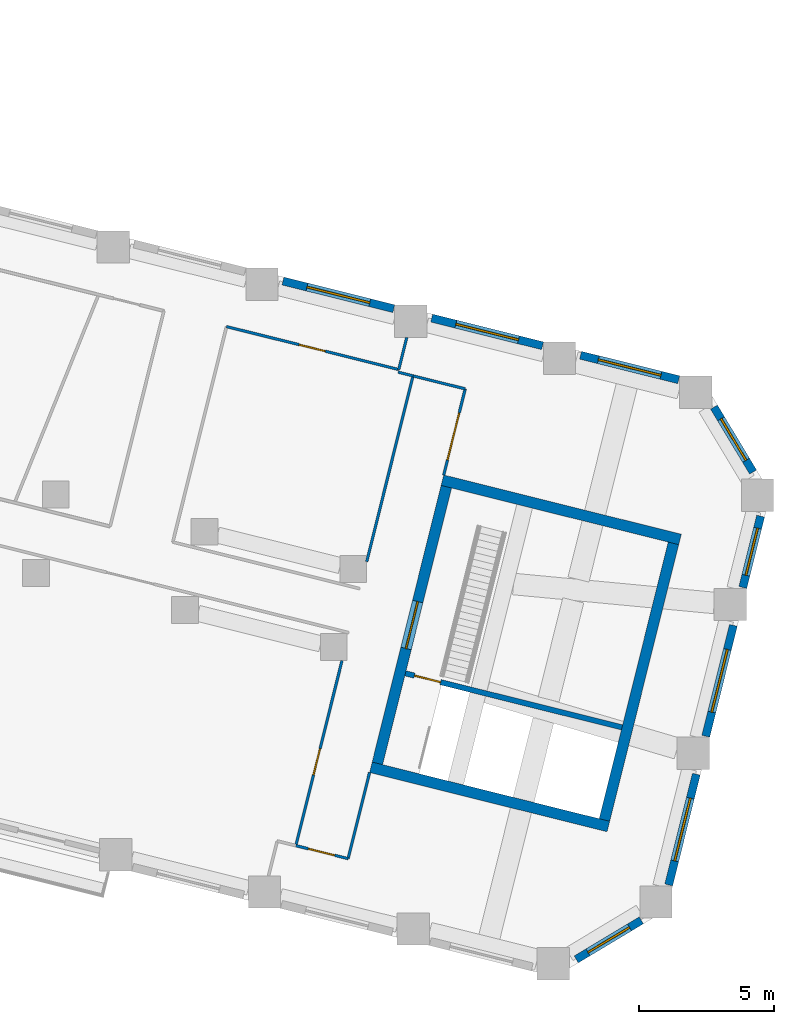
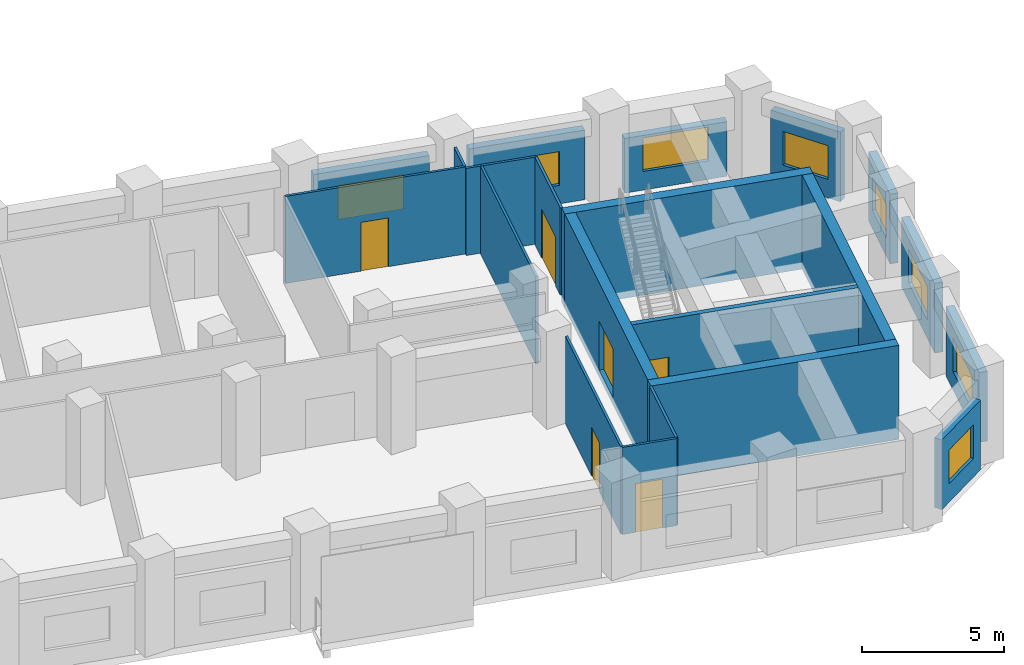
# One storey, part 7 of 10: 22 walls, 8 windows, 6 doors, 14 openings.
"""IFC4 building model written with IfcOpenShell, lengths in metres."""

from ifc_helpers import new_model, si_unit, direction, frame, frame_2d, origin, place, context, subcontext, project, spatial, rectangle, extrude, material, layer, layer_set, type_object, element, fill, save


model = new_model("IFC4")

# Units and contexts
model_context = context("Model", 3, precision=1e-05, world=origin(), true_north=direction((0.0, 1.0)))
body_context = subcontext(model_context, "Body", "Model", "MODEL_VIEW")
ifc_project = project(units=[si_unit("LENGTHUNIT", "METRE"), si_unit("AREAUNIT", "SQUARE_METRE"), si_unit("VOLUMEUNIT", "CUBIC_METRE"), si_unit("PLANEANGLEUNIT", "RADIAN"), si_unit("MASSUNIT", "GRAM", prefix="KILO")], contexts=[model_context])

# Site, building, storey
site_placement = place(None, origin())
site = spatial("IfcSite", under=ifc_project, at=site_placement, CompositionType="ELEMENT")
building_placement = place(site_placement, origin())
building = spatial("IfcBuilding", under=site, at=building_placement, Name="Meshkara Civic Tower", CompositionType="ELEMENT")
storey_placement = place(building_placement, frame((0.0, 0.0, 216.0)))
storey = spatial("IfcBuildingStorey", under=building, at=storey_placement, Name="L49", CompositionType="ELEMENT", Elevation=216.0)

# Wall, opening, door
ifc_material_1 = material(Name="Corridor wall 100")
ifc_layer_1 = layer(ifc_material_1, 0.10009765625)
ifc_layer_set_1 = layer_set([ifc_layer_1], Name="Corridor wall 100")
wall_type_1 = type_object("IfcWallType", Name="Corridor wall 100", PredefinedType="PARTITIONING", material=ifc_layer_set_1)
wall_1_placement = place(storey_placement, frame((59.68408203125, 6.24609375, 0.0), z_axis=(0.0, 0.0, 1.0), x_axis=(0.970303335351, -0.24189137522, 0.0)))
wall_1 = element("IfcWall", 1, at=wall_1_placement, inside=storey, type_object=wall_type_1, Name="L49-W035", PredefinedType="PARTITIONING", context=body_context, shape_type="SweptSolid", body=[
    extrude(rectangle(XDim=6.598876953125, YDim=0.10009765625, at=frame_2d((3.29931640625, 0.0))), origin(), (0.0, 0.0, 1.0), 3.75),
])
opening_1_placement = place(wall_1_placement, frame((2.780029296875, 0.0, 0.0)))
opening_1 = element("IfcOpeningElement", 2, at=opening_1_placement, cuts=wall_1, Name="Opening L49-D007", PredefinedType="OPENING", context=body_context, shape_type="SweptSolid", body=[
    extrude(rectangle(XDim=1.0, YDim=2.10009765625, at=frame_2d((0.5, 1.050048828125))), frame((0.0, 0.06005859375, 0.0), z_axis=(0.0, -1.0, 0.0), x_axis=(1.0, 0.0, 0.0)), (0.0, 0.0, 1.0), 0.1201171875),
])
ifc_material_2 = material(Name="Door 1000 x 2100")
door_type_1 = type_object("IfcDoorType", Name="Door 1000 x 2100", OperationType="SINGLE_SWING_LEFT", PredefinedType="DOOR", material=ifc_material_2)
door_1_placement = place(opening_1_placement, origin())
door_1 = element("IfcDoor", 3, at=door_1_placement, inside=storey, type_object=door_type_1, Name="L49-D007", OperationType="SINGLE_SWING_RIGHT", OverallHeight=2.10009765625, OverallWidth=1.0, PredefinedType="DOOR", context=body_context, shape_type="SweptSolid", body=[
    extrude(rectangle(XDim=1.0, YDim=2.10009765625, at=frame_2d((0.5, 1.050048828125))), frame((0.0, 0.02490234375, 0.0), z_axis=(0.0, -1.0, 0.0), x_axis=(1.0, 0.0, 0.0)), (0.0, 0.0, 1.0), 0.050048828125),
])
fill(opening_1, door_1)

wall_2_placement = place(storey_placement, frame((62.261962890625, -13.050048828125, 0.0), z_axis=(0.0, 0.0, 1.0), x_axis=(0.970300241929, -0.241903783585, 0.0)))
wall_2 = element("IfcWall", 4, at=wall_2_placement, inside=storey, type_object=wall_type_1, Name="L49-W036", PredefinedType="PARTITIONING", context=body_context, shape_type="SweptSolid", body=[
    extrude(rectangle(XDim=2.000244140625, YDim=0.10009765625, at=frame_2d((1.0, 0.0))), origin(), (0.0, 0.0, 1.0), 3.75),
])
opening_2_placement = place(wall_2_placement, frame((0.47998046875, 0.0, 0.0)))
opening_2 = element("IfcOpeningElement", 5, at=opening_2_placement, cuts=wall_2, Name="Opening L49-D001", PredefinedType="OPENING", context=body_context, shape_type="SweptSolid", body=[
    extrude(rectangle(XDim=1.0, YDim=2.10009765625, at=frame_2d((0.5, 1.050048828125))), frame((0.0, 0.06005859375, 0.0), z_axis=(0.0, -1.0, 0.0), x_axis=(1.0, 0.0, 0.0)), (0.0, 0.0, 1.0), 0.1201171875),
])
door_2_placement = place(opening_2_placement, origin())
door_2 = element("IfcDoor", 6, at=door_2_placement, inside=storey, type_object=door_type_1, Name="L49-D001", OperationType="SINGLE_SWING_RIGHT", OverallHeight=2.10009765625, OverallWidth=1.0, PredefinedType="DOOR", context=body_context, shape_type="SweptSolid", body=[
    extrude(rectangle(XDim=1.0, YDim=2.10009765625, at=frame_2d((0.5, 1.050048828125))), frame((0.0, 0.02490234375, 0.0), z_axis=(0.0, -1.0, 0.0), x_axis=(1.0, 0.0, 0.0)), (0.0, 0.0, 1.0), 0.050048828125),
])
fill(opening_2, door_2)

wall_3_placement = place(storey_placement, frame((63.97705078125, -6.1708984375, 0.0), z_axis=(0.0, 0.0, 1.0), x_axis=(-0.241911678739, -0.970298273568, 0.0)))
wall_3 = element("IfcWall", 7, at=wall_3_placement, inside=storey, type_object=wall_type_1, Name="L49-W037", PredefinedType="PARTITIONING", context=body_context, shape_type="SweptSolid", body=[
    extrude(rectangle(XDim=7.08984375, YDim=0.10009765625, at=frame_2d((3.544921875, 0.0))), origin(), (0.0, 0.0, 1.0), 3.75),
])
opening_3_placement = place(wall_3_placement, frame((3.3798828125, 0.0, 0.0)))
opening_3 = element("IfcOpeningElement", 8, at=opening_3_placement, cuts=wall_3, Name="Opening L49-D002", PredefinedType="OPENING", context=body_context, shape_type="SweptSolid", body=[
    extrude(rectangle(XDim=1.0, YDim=2.10009765625, at=frame_2d((0.5, 1.050048828125))), frame((0.0, 0.06005859375, 0.0), z_axis=(0.0, -1.0, 0.0), x_axis=(1.0, 0.0, 0.0)), (0.0, 0.0, 1.0), 0.1201171875),
])
door_3_placement = place(opening_3_placement, origin())
door_3 = element("IfcDoor", 9, at=door_3_placement, inside=storey, type_object=door_type_1, Name="L49-D002", OperationType="SINGLE_SWING_LEFT", OverallHeight=2.10009765625, OverallWidth=1.0, PredefinedType="DOOR", context=body_context, shape_type="SweptSolid", body=[
    extrude(rectangle(XDim=1.0, YDim=2.10009765625, at=frame_2d((0.5, 1.050048828125))), frame((0.0, 0.02490234375, 0.0), z_axis=(0.0, -1.0, 0.0), x_axis=(1.0, 0.0, 0.0)), (0.0, 0.0, 1.0), 0.050048828125),
])
fill(opening_3, door_3)

# Walls
wall_4_placement = place(storey_placement, frame((64.202880859375, -13.533935546875, 0.0), z_axis=(0.0, 0.0, 1.0), x_axis=(0.241856645367, 0.970311992656, 0.0)))
element("IfcWall", 10, at=wall_4_placement, inside=storey, type_object=wall_type_1, Name="L49-W038", PredefinedType="PARTITIONING", context=body_context, shape_type="SweptSolid", body=[
    extrude(rectangle(XDim=3.2998046875, YDim=0.10009765625, at=frame_2d((1.64990234375, 0.0))), origin(), (0.0, 0.0, 1.0), 3.75),
])
wall_5_placement = place(storey_placement, frame((66.0869140625, 4.64990234375, 0.0), z_axis=(0.0, 0.0, 1.0), x_axis=(0.24202255973, 0.970270622343, 0.0)))
element("IfcWall", 11, at=wall_5_placement, inside=storey, type_object=wall_type_1, Name="L49-W040", PredefinedType="PARTITIONING", context=body_context, shape_type="SweptSolid", body=[
    extrude(rectangle(XDim=1.231689453125, YDim=0.10009765625, at=frame_2d((0.61572265625, 0.0))), origin(), (0.0, 0.0, 1.0), 3.75),
])
wall_6_placement = place(storey_placement, frame((66.616943359375, 4.4150390625, 0.0), z_axis=(0.0, 0.0, 1.0), x_axis=(-0.241898048516, -0.97030167171, 0.0)))
element("IfcWall", 12, at=wall_6_placement, inside=storey, type_object=wall_type_1, Name="L49-W041", PredefinedType="PARTITIONING", context=body_context, shape_type="SweptSolid", body=[
    extrude(rectangle(XDim=7.118408203125, YDim=0.10009765625, at=frame_2d((3.55908203125, 0.0))), origin(), (0.0, 0.0, 1.0), 3.75),
])

# Wall, opening, door
wall_7_placement = place(storey_placement, frame((67.759033203125, 0.72900390625, 0.0), z_axis=(0.0, 0.0, 1.0), x_axis=(0.241786986316, 0.970329352977, 0.0)))
wall_7 = element("IfcWall", 13, at=wall_7_placement, inside=storey, type_object=wall_type_1, Name="L49-W042", PredefinedType="PARTITIONING", context=body_context, shape_type="SweptSolid", body=[
    extrude(rectangle(XDim=3.2998046875, YDim=0.10009765625, at=frame_2d((1.64990234375, 0.0))), origin(), (0.0, 0.0, 1.0), 3.75),
])
opening_4_placement = place(wall_7_placement, frame((0.580078125, 0.0, 0.0)))
opening_4 = element("IfcOpeningElement", 14, at=opening_4_placement, cuts=wall_7, Name="Opening L49-D008", PredefinedType="OPENING", context=body_context, shape_type="SweptSolid", body=[
    extrude(rectangle(XDim=1.800048828125, YDim=2.10009765625, at=frame_2d((0.89990234375, 1.050048828125))), frame((0.0, 0.06005859375, 0.0), z_axis=(0.0, -1.0, 0.0), x_axis=(1.0, 0.0, 0.0)), (0.0, 0.0, 1.0), 0.1201171875),
])
ifc_material_3 = material(Name="Door pair 1800 x 2100")
door_type_2 = type_object("IfcDoorType", Name="Door pair 1800 x 2100", OperationType="SINGLE_SWING_LEFT", PredefinedType="DOOR", material=ifc_material_3)
door_4_placement = place(opening_4_placement, origin())
door_4 = element("IfcDoor", 15, at=door_4_placement, inside=storey, type_object=door_type_2, Name="L49-D008", OperationType="DOUBLE_DOOR_SINGLE_SWING", OverallHeight=2.10009765625, OverallWidth=1.800048828125, PredefinedType="DOOR", context=body_context, shape_type="SweptSolid", body=[
    extrude(rectangle(XDim=1.800048828125, YDim=2.10009765625, at=frame_2d((0.89990234375, 1.050048828125))), frame((0.0, 0.02490234375, 0.0), z_axis=(0.0, -1.0, 0.0), x_axis=(1.0, 0.0, 0.0)), (0.0, 0.0, 1.0), 0.050048828125),
])
fill(opening_4, door_4)

# Wall
wall_8_placement = place(storey_placement, frame((68.556884765625, 3.930908203125, 0.0), z_axis=(0.0, 0.0, 1.0), x_axis=(-0.970242973473, 0.242133377347, 0.0)))
element("IfcWall", 16, at=wall_8_placement, inside=storey, type_object=wall_type_1, Name="L49-W043", PredefinedType="PARTITIONING", context=body_context, shape_type="SweptSolid", body=[
    extrude(rectangle(XDim=1.99951171875, YDim=0.10009765625, at=frame_2d((0.999755859375, 0.0))), origin(), (0.0, 0.0, 1.0), 3.75),
])

# Wall, opening, window
ifc_material_4 = material(Name="Insulated infill panel with bronze anodised aluminium cladding", Category="aluminium")
ifc_layer_2 = layer(ifc_material_4, 0.300048828125)
ifc_layer_set_2 = layer_set([ifc_layer_2], Name="EXTERNAL INFILL WALL 300")
wall_type_2 = type_object("IfcWallType", Name="EXTERNAL INFILL WALL 300", PredefinedType="SOLIDWALL", material=ifc_layer_set_2)
wall_9_placement = place(storey_placement, frame((76.491943359375, 4.27197265625, 0.0), z_axis=(0.0, 0.0, 1.0), x_axis=(-0.970348377394, 0.241710625521, 0.0)))
wall_9 = element("IfcWall", 17, at=wall_9_placement, inside=storey, type_object=wall_type_2, Name="External wall", PredefinedType="SOLIDWALL", context=body_context, shape_type="SweptSolid", body=[
    extrude(rectangle(XDim=3.760498046875, YDim=0.300048828125, at=frame_2d((1.88037109375, 0.0))), origin(), (0.0, 0.0, 1.0), 2.35009765625),
])
opening_5_placement = place(wall_9_placement, frame((0.679931640625, 0.0, 0.800048828125)))
opening_5 = element("IfcOpeningElement", 18, at=opening_5_placement, cuts=wall_9, Name="Opening W8", PredefinedType="OPENING", context=body_context, shape_type="SweptSolid", body=[
    extrude(rectangle(XDim=2.39990234375, YDim=1.449951171875, at=frame_2d((1.199951171875, 0.72509765625))), frame((0.0, 0.159912109375, 0.0), z_axis=(0.0, -1.0, 0.0), x_axis=(1.0, 0.0, 0.0)), (0.0, 0.0, 1.0), 0.320068359375),
])
ifc_material_5 = material(Name="Tinted double glazing", Category="glass")
window_type_1 = type_object("IfcWindowType", Name="WINDOW 2400x1450", PartitioningType="DOUBLE_PANEL_VERTICAL", PredefinedType="WINDOW", material=ifc_material_5)
window_1_placement = place(opening_5_placement, origin())
window_1 = element("IfcWindow", 19, at=window_1_placement, inside=storey, type_object=window_type_1, Name="Window", OverallHeight=1.449951171875, OverallWidth=2.39990234375, PartitioningType="DOUBLE_PANEL_VERTICAL", PredefinedType="WINDOW", context=body_context, shape_type="SweptSolid", body=[
    extrude(rectangle(XDim=2.39990234375, YDim=1.449951171875, at=frame_2d((1.199951171875, 0.72509765625))), frame((0.0, 0.030029296875, 0.0), z_axis=(0.0, -1.0, 0.0), x_axis=(1.0, 0.0, 0.0)), (0.0, 0.0, 1.0), 0.06005859375),
])
fill(opening_5, window_1)

wall_10_placement = place(storey_placement, frame((71.431884765625, 5.532958984375, 0.0), z_axis=(0.0, 0.0, 1.0), x_axis=(-0.970301260502, 0.241899697951, 0.0)))
wall_10 = element("IfcWall", 20, at=wall_10_placement, inside=storey, type_object=wall_type_2, Name="External wall", PredefinedType="SOLIDWALL", context=body_context, shape_type="SweptSolid", body=[
    extrude(rectangle(XDim=4.24609375, YDim=0.300048828125, at=frame_2d((2.123046875, 0.0))), origin(), (0.0, 0.0, 1.0), 3.0),
])
opening_6_placement = place(wall_10_placement, frame((0.923095703125, 0.0, 0.800048828125)))
opening_6 = element("IfcOpeningElement", 21, at=opening_6_placement, cuts=wall_10, Name="Opening W8", PredefinedType="OPENING", context=body_context, shape_type="SweptSolid", body=[
    extrude(rectangle(XDim=2.39990234375, YDim=1.449951171875, at=frame_2d((1.199951171875, 0.72509765625))), frame((0.0, 0.159912109375, 0.0), z_axis=(0.0, -1.0, 0.0), x_axis=(1.0, 0.0, 0.0)), (0.0, 0.0, 1.0), 0.320068359375),
])
window_2_placement = place(opening_6_placement, origin())
window_2 = element("IfcWindow", 22, at=window_2_placement, inside=storey, type_object=window_type_1, Name="Window", OverallHeight=1.449951171875, OverallWidth=2.39990234375, PartitioningType="DOUBLE_PANEL_VERTICAL", PredefinedType="WINDOW", context=body_context, shape_type="SweptSolid", body=[
    extrude(rectangle(XDim=2.39990234375, YDim=1.449951171875, at=frame_2d((1.199951171875, 0.72509765625))), frame((0.0, 0.030029296875, 0.0), z_axis=(0.0, -1.0, 0.0), x_axis=(1.0, 0.0, 0.0)), (0.0, 0.0, 1.0), 0.06005859375),
])
fill(opening_6, window_2)

wall_11_placement = place(storey_placement, frame((65.90087890625, 6.912109375, 0.0), z_axis=(0.0, 0.0, 1.0), x_axis=(-0.970260760633, 0.242062091986, 0.0)))
wall_11 = element("IfcWall", 23, at=wall_11_placement, inside=storey, type_object=wall_type_2, Name="External wall", PredefinedType="SOLIDWALL", context=body_context, shape_type="SweptSolid", body=[
    extrude(rectangle(XDim=4.24609375, YDim=0.300048828125, at=frame_2d((2.123046875, 0.0))), origin(), (0.0, 0.0, 1.0), 3.0),
])
opening_7_placement = place(wall_11_placement, frame((0.923095703125, 0.0, 0.800048828125)))
opening_7 = element("IfcOpeningElement", 24, at=opening_7_placement, cuts=wall_11, Name="Opening W8", PredefinedType="OPENING", context=body_context, shape_type="SweptSolid", body=[
    extrude(rectangle(XDim=2.39990234375, YDim=1.449951171875, at=frame_2d((1.199951171875, 0.72509765625))), frame((0.0, 0.159912109375, 0.0), z_axis=(0.0, -1.0, 0.0), x_axis=(1.0, 0.0, 0.0)), (0.0, 0.0, 1.0), 0.320068359375),
])
window_3_placement = place(opening_7_placement, origin())
window_3 = element("IfcWindow", 25, at=window_3_placement, inside=storey, type_object=window_type_1, Name="Window", OverallHeight=1.449951171875, OverallWidth=2.39990234375, PartitioningType="DOUBLE_PANEL_VERTICAL", PredefinedType="WINDOW", context=body_context, shape_type="SweptSolid", body=[
    extrude(rectangle(XDim=2.39990234375, YDim=1.449951171875, at=frame_2d((1.199951171875, 0.72509765625))), frame((0.0, 0.030029296875, 0.0), z_axis=(0.0, -1.0, 0.0), x_axis=(1.0, 0.0, 0.0)), (0.0, 0.0, 1.0), 0.06005859375),
])
fill(opening_7, window_3)

wall_12_placement = place(storey_placement, frame((72.68701171875, -17.277099609375, 0.0), z_axis=(0.0, 0.0, 1.0), x_axis=(0.857309341171, 0.514801606, 0.0)))
wall_12 = element("IfcWall", 26, at=wall_12_placement, inside=storey, type_object=wall_type_2, Name="External wall", PredefinedType="SOLIDWALL", context=body_context, shape_type="SweptSolid", body=[
    extrude(rectangle(XDim=2.81689453125, YDim=0.300048828125, at=frame_2d((1.408447265625, 0.0))), origin(), (0.0, 0.0, 1.0), 3.0),
])
opening_8_placement = place(wall_12_placement, frame((0.508056640625, 0.0, 0.800048828125)))
opening_8 = element("IfcOpeningElement", 27, at=opening_8_placement, cuts=wall_12, Name="Opening W10", PredefinedType="OPENING", context=body_context, shape_type="SweptSolid", body=[
    extrude(rectangle(XDim=1.800048828125, YDim=1.449951171875, at=frame_2d((0.89990234375, 0.72509765625))), frame((0.0, 0.159912109375, 0.0), z_axis=(0.0, -1.0, 0.0), x_axis=(1.0, 0.0, 0.0)), (0.0, 0.0, 1.0), 0.320068359375),
])
ifc_material_6 = material(Name="Tinted double glazing", Category="glass")
window_type_2 = type_object("IfcWindowType", Name="WINDOW 1800x1450", PartitioningType="DOUBLE_PANEL_VERTICAL", PredefinedType="WINDOW", material=ifc_material_6)
window_4_placement = place(opening_8_placement, origin())
window_4 = element("IfcWindow", 28, at=window_4_placement, inside=storey, type_object=window_type_2, Name="Window", OverallHeight=1.449951171875, OverallWidth=1.800048828125, PartitioningType="DOUBLE_PANEL_VERTICAL", PredefinedType="WINDOW", context=body_context, shape_type="SweptSolid", body=[
    extrude(rectangle(XDim=1.800048828125, YDim=1.449951171875, at=frame_2d((0.89990234375, 0.72509765625))), frame((0.0, 0.030029296875, 0.0), z_axis=(0.0, -1.0, 0.0), x_axis=(1.0, 0.0, 0.0)), (0.0, 0.0, 1.0), 0.06005859375),
])
fill(opening_8, window_4)

wall_13_placement = place(storey_placement, frame((76.12109375, -14.511962890625, 0.0), z_axis=(0.0, 0.0, 1.0), x_axis=(0.241845562088, 0.970314755169, 0.0)))
wall_13 = element("IfcWall", 29, at=wall_13_placement, inside=storey, type_object=wall_type_2, Name="External wall", PredefinedType="SOLIDWALL", context=body_context, shape_type="SweptSolid", body=[
    extrude(rectangle(XDim=4.245849609375, YDim=0.300048828125, at=frame_2d((2.123046875, 0.0))), origin(), (0.0, 0.0, 1.0), 3.0),
])
opening_9_placement = place(wall_13_placement, frame((0.923095703125, 0.0, 0.800048828125)))
opening_9 = element("IfcOpeningElement", 30, at=opening_9_placement, cuts=wall_13, Name="Opening W8", PredefinedType="OPENING", context=body_context, shape_type="SweptSolid", body=[
    extrude(rectangle(XDim=2.39990234375, YDim=1.449951171875, at=frame_2d((1.199951171875, 0.72509765625))), frame((0.0, 0.159912109375, 0.0), z_axis=(0.0, -1.0, 0.0), x_axis=(1.0, 0.0, 0.0)), (0.0, 0.0, 1.0), 0.320068359375),
])
window_5_placement = place(opening_9_placement, origin())
window_5 = element("IfcWindow", 31, at=window_5_placement, inside=storey, type_object=window_type_1, Name="Window", OverallHeight=1.449951171875, OverallWidth=2.39990234375, PartitioningType="DOUBLE_PANEL_VERTICAL", PredefinedType="WINDOW", context=body_context, shape_type="SweptSolid", body=[
    extrude(rectangle(XDim=2.39990234375, YDim=1.449951171875, at=frame_2d((1.199951171875, 0.72509765625))), frame((0.0, 0.030029296875, 0.0), z_axis=(0.0, -1.0, 0.0), x_axis=(1.0, 0.0, 0.0)), (0.0, 0.0, 1.0), 0.06005859375),
])
fill(opening_9, window_5)

wall_14_placement = place(storey_placement, frame((77.5, -8.98095703125, 0.0), z_axis=(0.0, 0.0, 1.0), x_axis=(0.241682938765, 0.970355273655, 0.0)))
wall_14 = element("IfcWall", 32, at=wall_14_placement, inside=storey, type_object=wall_type_2, Name="External wall", PredefinedType="SOLIDWALL", context=body_context, shape_type="SweptSolid", body=[
    extrude(rectangle(XDim=4.24462890625, YDim=0.300048828125, at=frame_2d((2.122314453125, 0.0))), origin(), (0.0, 0.0, 1.0), 3.0),
])
opening_10_placement = place(wall_14_placement, frame((0.922119140625, 0.0, 0.800048828125)))
opening_10 = element("IfcOpeningElement", 33, at=opening_10_placement, cuts=wall_14, Name="Opening W8", PredefinedType="OPENING", context=body_context, shape_type="SweptSolid", body=[
    extrude(rectangle(XDim=2.39990234375, YDim=1.449951171875, at=frame_2d((1.199951171875, 0.72509765625))), frame((0.0, 0.159912109375, 0.0), z_axis=(0.0, -1.0, 0.0), x_axis=(1.0, 0.0, 0.0)), (0.0, 0.0, 1.0), 0.320068359375),
])
window_6_placement = place(opening_10_placement, origin())
window_6 = element("IfcWindow", 34, at=window_6_placement, inside=storey, type_object=window_type_1, Name="Window", OverallHeight=1.449951171875, OverallWidth=2.39990234375, PartitioningType="DOUBLE_PANEL_VERTICAL", PredefinedType="WINDOW", context=body_context, shape_type="SweptSolid", body=[
    extrude(rectangle(XDim=2.39990234375, YDim=1.449951171875, at=frame_2d((1.199951171875, 0.72509765625))), frame((0.0, 0.030029296875, 0.0), z_axis=(0.0, -1.0, 0.0), x_axis=(1.0, 0.0, 0.0)), (0.0, 0.0, 1.0), 0.06005859375),
])
fill(opening_10, window_6)

wall_15_placement = place(storey_placement, frame((78.8779296875, -3.450927734375, 0.0), z_axis=(0.0, 0.0, 1.0), x_axis=(0.24190501074, 0.970299935988, 0.0)))
wall_15 = element("IfcWall", 35, at=wall_15_placement, inside=storey, type_object=wall_type_2, Name="External wall", PredefinedType="SOLIDWALL", context=body_context, shape_type="SweptSolid", body=[
    extrude(rectangle(XDim=2.73291015625, YDim=0.300048828125, at=frame_2d((1.366455078125, 0.0))), origin(), (0.0, 0.0, 1.0), 3.0),
])
opening_11_placement = place(wall_15_placement, frame((0.466064453125, 0.0, 0.800048828125)))
opening_11 = element("IfcOpeningElement", 36, at=opening_11_placement, cuts=wall_15, Name="Opening W10", PredefinedType="OPENING", context=body_context, shape_type="SweptSolid", body=[
    extrude(rectangle(XDim=1.800048828125, YDim=1.449951171875, at=frame_2d((0.89990234375, 0.72509765625))), frame((0.0, 0.159912109375, 0.0), z_axis=(0.0, -1.0, 0.0), x_axis=(1.0, 0.0, 0.0)), (0.0, 0.0, 1.0), 0.320068359375),
])
window_7_placement = place(opening_11_placement, origin())
window_7 = element("IfcWindow", 37, at=window_7_placement, inside=storey, type_object=window_type_2, Name="Window", OverallHeight=1.449951171875, OverallWidth=1.800048828125, PartitioningType="DOUBLE_PANEL_VERTICAL", PredefinedType="WINDOW", context=body_context, shape_type="SweptSolid", body=[
    extrude(rectangle(XDim=1.800048828125, YDim=1.449951171875, at=frame_2d((0.89990234375, 0.72509765625))), frame((0.0, 0.030029296875, 0.0), z_axis=(0.0, -1.0, 0.0), x_axis=(1.0, 0.0, 0.0)), (0.0, 0.0, 1.0), 0.06005859375),
])
fill(opening_11, window_7)

wall_16_placement = place(storey_placement, frame((79.257080078125, 0.839111328125, 0.0), z_axis=(0.0, 0.0, 1.0), x_axis=(-0.514992914014, 0.857194434487, 0.0)))
wall_16 = element("IfcWall", 38, at=wall_16_placement, inside=storey, type_object=wall_type_2, Name="External wall", PredefinedType="SOLIDWALL", context=body_context, shape_type="SweptSolid", body=[
    extrude(rectangle(XDim=2.81591796875, YDim=0.300048828125, at=frame_2d((1.407958984375, 0.0))), origin(), (0.0, 0.0, 1.0), 3.0),
])
opening_12_placement = place(wall_16_placement, frame((0.508056640625, 0.0, 0.800048828125)))
opening_12 = element("IfcOpeningElement", 39, at=opening_12_placement, cuts=wall_16, Name="Opening W10", PredefinedType="OPENING", context=body_context, shape_type="SweptSolid", body=[
    extrude(rectangle(XDim=1.800048828125, YDim=1.449951171875, at=frame_2d((0.89990234375, 0.72509765625))), frame((0.0, 0.159912109375, 0.0), z_axis=(0.0, -1.0, 0.0), x_axis=(1.0, 0.0, 0.0)), (0.0, 0.0, 1.0), 0.320068359375),
])
window_8_placement = place(opening_12_placement, origin())
window_8 = element("IfcWindow", 40, at=window_8_placement, inside=storey, type_object=window_type_2, Name="Window", OverallHeight=1.449951171875, OverallWidth=1.800048828125, PartitioningType="DOUBLE_PANEL_VERTICAL", PredefinedType="WINDOW", context=body_context, shape_type="SweptSolid", body=[
    extrude(rectangle(XDim=1.800048828125, YDim=1.449951171875, at=frame_2d((0.89990234375, 0.72509765625))), frame((0.0, 0.030029296875, 0.0), z_axis=(0.0, -1.0, 0.0), x_axis=(1.0, 0.0, 0.0)), (0.0, 0.0, 1.0), 0.06005859375),
])
fill(opening_12, window_8)

# Walls
ifc_material_7 = material(Name="Concrete C70", Category="concrete")
ifc_layer_3 = layer(ifc_material_7, 0.39990234375)
ifc_layer_set_3 = layer_set([ifc_layer_3], Name="End core ring wall 400 C70")
wall_type_3 = type_object("IfcWallType", Name="End core ring wall 400 C70", PredefinedType="SHEAR", material=ifc_layer_set_3)
for number, where, z_axis, x_axis, name in (
    (41, (65.050048828125, -10.137939453125, -0.300048828125), (0.0, 0.0, 1.0), (0.970273354879, -0.242011604707, 0.0), "L49-C028"),
    (42, (67.7109375, 0.534912109375, -0.300048828125), (0.0, 0.0, 1.0), (0.970306418893, -0.241879005816, 0.0), "L49-C029"),
):
    element("IfcWall", number, at=place(storey_placement, frame(where, z_axis=z_axis, x_axis=x_axis)), inside=storey, type_object=wall_type_3, Name=name, PredefinedType="SHEAR", context=body_context, shape_type="SweptSolid", body=[
        extrude(rectangle(XDim=9.099365234375, YDim=0.39990234375, at=frame_2d((4.5498046875, 0.0))), origin(), (0.0, 0.0, 1.0), 4.050048828125),
    ])

# Wall, opening, door
wall_17_placement = place(storey_placement, frame((65.2919921875, -9.991943359375, -0.300048828125), z_axis=(0.0, 0.0, 1.0), x_axis=(0.241890652548, 0.970303515509, 0.0)))
wall_17 = element("IfcWall", 43, at=wall_17_placement, inside=storey, type_object=wall_type_3, Name="L49-C030", PredefinedType="SHEAR", context=body_context, shape_type="SweptSolid", body=[
    extrude(rectangle(XDim=10.599609375, YDim=0.39990234375, at=frame_2d((5.2998046875, 0.0))), origin(), (0.0, 0.0, 1.0), 4.050048828125),
])
opening_13_placement = place(wall_17_placement, frame((4.39990234375, 0.0, 0.300048828125)))
opening_13 = element("IfcOpeningElement", 44, at=opening_13_placement, cuts=wall_17, Name="Opening L49-K202", PredefinedType="OPENING", context=body_context, shape_type="SweptSolid", body=[
    extrude(rectangle(XDim=1.800048828125, YDim=2.10009765625, at=frame_2d((0.89990234375, 1.050048828125))), frame((0.0, 0.2099609375, 0.0), z_axis=(0.0, -1.0, 0.0), x_axis=(1.0, 0.0, 0.0)), (0.0, 0.0, 1.0), 0.419921875),
])
ifc_material_8 = material(Name="Fire-rated door leaf in steel frame", Category="steel")
door_type_3 = type_object("IfcDoorType", Name="Core double door 1800 EI 60", OperationType="DOUBLE_DOOR_SINGLE_SWING", PredefinedType="DOOR", material=ifc_material_8)
door_5_placement = place(opening_13_placement, origin())
door_5 = element("IfcDoor", 45, at=door_5_placement, inside=storey, type_object=door_type_3, Name="L49-K202", OperationType="DOUBLE_DOOR_SINGLE_SWING", OverallHeight=2.10009765625, OverallWidth=1.800048828125, PredefinedType="DOOR", context=body_context, shape_type="SweptSolid", body=[
    extrude(rectangle(XDim=1.800048828125, YDim=2.10009765625, at=frame_2d((0.89990234375, 1.050048828125))), frame((0.0, 0.02490234375, 0.0), z_axis=(0.0, -1.0, 0.0), x_axis=(1.0, 0.0, 0.0)), (0.0, 0.0, 1.0), 0.050048828125),
])
fill(opening_13, door_5)

# Walls
wall_18_placement = place(storey_placement, frame((73.73388671875, -12.096923828125, -0.300048828125), z_axis=(0.0, 0.0, 1.0), x_axis=(0.241912337509, 0.970298109326, 0.0)))
element("IfcWall", 46, at=wall_18_placement, inside=storey, type_object=wall_type_3, Name="L49-C031", PredefinedType="SHEAR", context=body_context, shape_type="SweptSolid", body=[
    extrude(rectangle(XDim=10.599853515625, YDim=0.39990234375, at=frame_2d((5.2998046875, 0.0))), origin(), (0.0, 0.0, 1.0), 4.050048828125),
])
ifc_material_9 = material(Name="Partition 100")
ifc_layer_4 = layer(ifc_material_9, 0.10009765625)
ifc_layer_set_4 = layer_set([ifc_layer_4], Name="Partition 100")
wall_type_4 = type_object("IfcWallType", Name="Partition 100", PredefinedType="PARTITIONING", material=ifc_layer_set_4)
wall_19_placement = place(storey_placement, frame((66.62109375, 4.4140625, 0.0), z_axis=(0.0, 0.0, 1.0), x_axis=(-0.970391687927, 0.241536688727, 0.0)))
element("IfcWall", 47, at=wall_19_placement, inside=storey, type_object=wall_type_4, Name="L49-W062", PredefinedType="PARTITIONING", context=body_context, shape_type="SweptSolid", body=[
    extrude(rectangle(XDim=0.5751953125, YDim=0.10009765625, at=frame_2d((0.28759765625, 0.0))), origin(), (0.0, 0.0, 1.0), 3.75),
])

# Wall, opening, door
ifc_material_10 = material(Name="Concrete C40/50", Category="concrete")
ifc_layer_5 = layer(ifc_material_10, 0.199951171875)
ifc_layer_set_5 = layer_set([ifc_layer_5], Name="Stair enclosure wall 200 C40/50")
wall_type_5 = type_object("IfcWallType", Name="Stair enclosure wall 200 C40/50", PredefinedType="SOLIDWALL", material=ifc_layer_set_5)
wall_20_placement = place(storey_placement, frame((66.3330078125, -6.64501953125, 0.0), z_axis=(0.0, 0.0, 1.0), x_axis=(0.970289402158, -0.241947258837, 0.0)))
wall_20 = element("IfcWall", 48, at=wall_20_placement, inside=storey, type_object=wall_type_5, Name="L49-C032", PredefinedType="SOLIDWALL", context=body_context, shape_type="SweptSolid", body=[
    extrude(rectangle(XDim=8.299560546875, YDim=0.199951171875, at=frame_2d((4.14990234375, 0.0))), origin(), (0.0, 0.0, 1.0), 3.75),
])
opening_14_placement = place(wall_20_placement, frame((0.35009765625, 0.0, 0.0)))
opening_14 = element("IfcOpeningElement", 49, at=opening_14_placement, cuts=wall_20, Name="Opening L49-K201", PredefinedType="OPENING", context=body_context, shape_type="SweptSolid", body=[
    extrude(rectangle(XDim=1.0, YDim=2.10009765625, at=frame_2d((0.5, 1.050048828125))), frame((0.0, 0.10986328125, 0.0), z_axis=(0.0, -1.0, 0.0), x_axis=(1.0, 0.0, 0.0)), (0.0, 0.0, 1.0), 0.219970703125),
])
ifc_material_11 = material(Name="Fire-rated door leaf in steel frame", Category="steel")
door_type_4 = type_object("IfcDoorType", Name="Stair door 1000 EI 120", OperationType="SINGLE_SWING_LEFT", PredefinedType="DOOR", material=ifc_material_11)
door_6_placement = place(opening_14_placement, origin())
door_6 = element("IfcDoor", 50, at=door_6_placement, inside=storey, type_object=door_type_4, Name="L49-K201", OperationType="SINGLE_SWING_LEFT", OverallHeight=2.10009765625, OverallWidth=1.0, PredefinedType="DOOR", context=body_context, shape_type="SweptSolid", body=[
    extrude(rectangle(XDim=1.0, YDim=2.10009765625, at=frame_2d((0.5, 1.050048828125))), frame((0.0, 0.02490234375, 0.0), z_axis=(0.0, -1.0, 0.0), x_axis=(1.0, 0.0, 0.0)), (0.0, 0.0, 1.0), 0.050048828125),
])
fill(opening_14, door_6)

save(model, "model.ifc")
